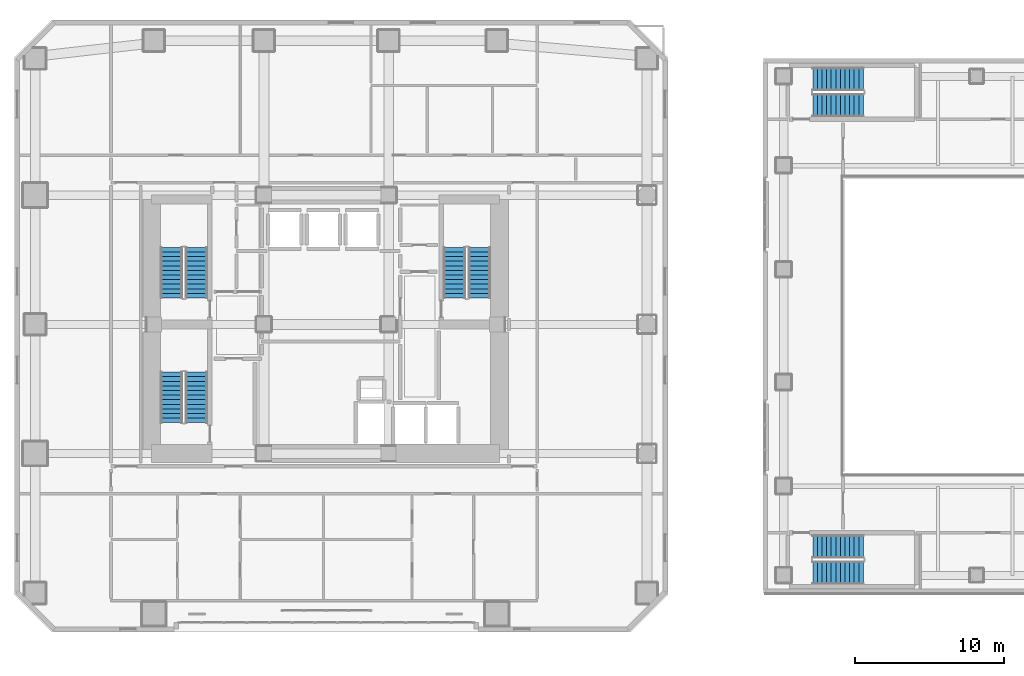
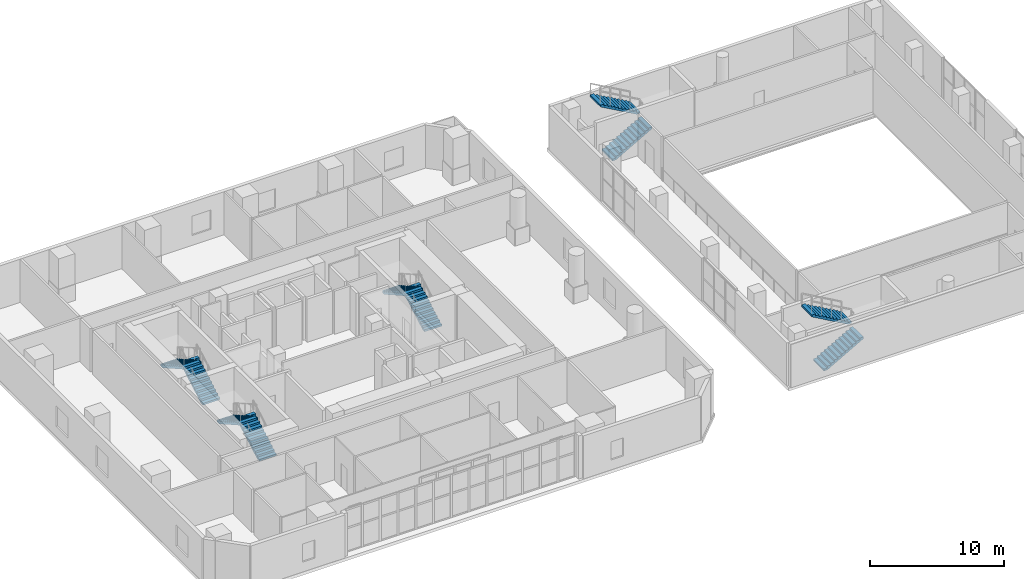
# One storey, part 21 of 24: 10 stair flights, 5 elements without a shape of their own.
"""IFC4 building model written with IfcOpenShell, lengths in metres."""

from ifc_helpers import new_model, si_unit, direction, frame, origin, place, context, subcontext, project, spatial, polyline, outline, extrude, material, type_object, element, aggregate, save


model = new_model("IFC4")

# Units and contexts
model_context = context("Model", 3, precision=1e-05, world=origin(), true_north=direction((0.0, 1.0)))
body_context = subcontext(model_context, "Body", "Model", "MODEL_VIEW")
ifc_project = project(units=[si_unit("LENGTHUNIT", "METRE"), si_unit("AREAUNIT", "SQUARE_METRE"), si_unit("VOLUMEUNIT", "CUBIC_METRE"), si_unit("PLANEANGLEUNIT", "RADIAN"), si_unit("MASSUNIT", "GRAM", prefix="KILO")], contexts=[model_context])

# Site, building, storey
site_placement = place(None, origin())
site = spatial("IfcSite", under=ifc_project, at=site_placement, CompositionType="ELEMENT")
building_placement = place(site_placement, origin())
building = spatial("IfcBuilding", under=site, at=building_placement, Name="Solanera Arch Residences", CompositionType="ELEMENT")
storey_placement = place(building_placement, frame((0.0, 0.0, 5.199951171875)))
storey = spatial("IfcBuildingStorey", under=building, at=storey_placement, Name="L01", CompositionType="ELEMENT", Elevation=5.199951171875)

# Stair, stair flights
ifc_material_1 = material(Name="Concrete C40/50 (f'c = 45 MPa)", Category="concrete")
stair_type_1 = type_object("IfcStairType", Name="Arena Dogleg Exit Stair 1560", PredefinedType="HALF_TURN_STAIR", material=ifc_material_1)
stair_1_placement = place(storey_placement, origin())
stair_1 = element("IfcStair", 1, at=stair_1_placement, inside=storey, type_object=stair_type_1, Name="L01 Sports Hall South Exit Stair", PredefinedType="HALF_TURN_STAIR")
ifc_material_2 = material(Name="Concrete C40/50 (f'c = 45 MPa)", Category="concrete")
stair_flight_type_1 = type_object("IfcStairFlightType", Name="Arena Precast Stair Flight 1560", PredefinedType="STRAIGHT", material=ifc_material_2)
stair_flight_1_placement = place(storey_placement, frame((57.760009765625, 13.97998046875, 0.0), z_axis=(0.0, 0.0, 1.0), x_axis=(1.0, 0.0, 0.0)))
stair_flight_1 = element("IfcStairFlight", 2, at=stair_flight_1_placement, type_object=stair_flight_type_1, Name="ST-H1 flight 1", NumberOfRisers=12, NumberOfTreads=11, PredefinedType="STRAIGHT", RiserHeight=0.175, TreadLength=0.31, context=body_context, shape_type="SweptSolid", body=[
    extrude(outline(polyline([(0.0, 0.0), (0.0, 0.175048828125), (0.31005859375, 0.175048828125), (0.31005859375, 0.35009765625), (0.6201171875, 0.35009765625), (0.6201171875, 0.52490234375), (0.929931640625, 0.52490234375), (0.929931640625, 0.699951171875), (1.239990234375, 0.699951171875), (1.239990234375, 0.875), (1.550048828125, 0.875), (1.550048828125, 1.050048828125), (1.860107421875, 1.050048828125), (1.860107421875, 1.22509765625), (2.169921875, 1.22509765625), (2.169921875, 1.39990234375), (2.47998046875, 1.39990234375), (2.47998046875, 1.574951171875), (2.7900390625, 1.574951171875), (2.7900390625, 1.75), (3.10009765625, 1.75), (3.10009765625, 1.925048828125), (3.409912109375, 1.925048828125), (3.409912109375, 2.10009765625), (3.409912109375, 1.7529296875), (0.304931640625, 0.0), (0.0, 0.0)])), frame((0.0, 0.780029296875, 0.0), z_axis=(0.0, -1.0, 0.0), x_axis=(1.0, 0.0, 0.0)), (0.0, 0.0, 1.0), 1.56005859375),
])
stair_flight_2_placement = place(storey_placement, frame((61.169921875, 15.739990234375, 2.10009765625), z_axis=(0.0, 0.0, 1.0), x_axis=(-1.0, 0.0, 0.0)))
stair_flight_2 = element("IfcStairFlight", 3, at=stair_flight_2_placement, type_object=stair_flight_type_1, Name="ST-H1 flight 2", NumberOfRisers=12, NumberOfTreads=11, PredefinedType="STRAIGHT", RiserHeight=0.175, TreadLength=0.31, context=body_context, shape_type="SweptSolid", body=[
    extrude(outline(polyline([(0.0, 0.0), (0.0, 0.175048828125), (0.31005859375, 0.175048828125), (0.31005859375, 0.35009765625), (0.6201171875, 0.35009765625), (0.6201171875, 0.52490234375), (0.929931640625, 0.52490234375), (0.929931640625, 0.699951171875), (1.239990234375, 0.699951171875), (1.239990234375, 0.875), (1.550048828125, 0.875), (1.550048828125, 1.050048828125), (1.860107421875, 1.050048828125), (1.860107421875, 1.22509765625), (2.169921875, 1.22509765625), (2.169921875, 1.39990234375), (2.47998046875, 1.39990234375), (2.47998046875, 1.574951171875), (2.7900390625, 1.574951171875), (2.7900390625, 1.75), (3.10009765625, 1.75), (3.10009765625, 1.925048828125), (3.409912109375, 1.925048828125), (3.409912109375, 2.10009765625), (3.409912109375, 1.7529296875), (0.304931640625, 0.0), (0.0, 0.0)])), frame((0.0, 0.780029296875, 0.0), z_axis=(0.0, -1.0, 0.0), x_axis=(1.0, 0.0, 0.0)), (0.0, 0.0, 1.0), 1.56005859375),
])
aggregate(stair_1, [stair_flight_1, stair_flight_2])

stair_2_placement = place(storey_placement, origin())
stair_2 = element("IfcStair", 4, at=stair_2_placement, inside=storey, type_object=stair_type_1, Name="L01 Sports Hall North Exit Stair", PredefinedType="HALF_TURN_STAIR")
stair_flight_3_placement = place(storey_placement, frame((57.760009765625, 45.4599609375, 0.0), z_axis=(0.0, 0.0, 1.0), x_axis=(1.0, 0.0, 0.0)))
stair_flight_3 = element("IfcStairFlight", 5, at=stair_flight_3_placement, type_object=stair_flight_type_1, Name="ST-H2 flight 1", NumberOfRisers=12, NumberOfTreads=11, PredefinedType="STRAIGHT", RiserHeight=0.175, TreadLength=0.31, context=body_context, shape_type="SweptSolid", body=[
    extrude(outline(polyline([(0.0, 0.0), (0.0, 0.175048828125), (0.31005859375, 0.175048828125), (0.31005859375, 0.35009765625), (0.6201171875, 0.35009765625), (0.6201171875, 0.52490234375), (0.929931640625, 0.52490234375), (0.929931640625, 0.699951171875), (1.239990234375, 0.699951171875), (1.239990234375, 0.875), (1.550048828125, 0.875), (1.550048828125, 1.050048828125), (1.860107421875, 1.050048828125), (1.860107421875, 1.22509765625), (2.169921875, 1.22509765625), (2.169921875, 1.39990234375), (2.47998046875, 1.39990234375), (2.47998046875, 1.574951171875), (2.7900390625, 1.574951171875), (2.7900390625, 1.75), (3.10009765625, 1.75), (3.10009765625, 1.925048828125), (3.409912109375, 1.925048828125), (3.409912109375, 2.10009765625), (3.409912109375, 1.7529296875), (0.304931640625, 0.0), (0.0, 0.0)])), frame((0.0, 0.780029296875, 0.0), z_axis=(0.0, -1.0, 0.0), x_axis=(1.0, 0.0, 0.0)), (0.0, 0.0, 1.0), 1.56005859375),
])
stair_flight_4_placement = place(storey_placement, frame((61.169921875, 47.219970703125, 2.10009765625), z_axis=(0.0, 0.0, 1.0), x_axis=(-1.0, 0.0, 0.0)))
stair_flight_4 = element("IfcStairFlight", 6, at=stair_flight_4_placement, type_object=stair_flight_type_1, Name="ST-H2 flight 2", NumberOfRisers=12, NumberOfTreads=11, PredefinedType="STRAIGHT", RiserHeight=0.175, TreadLength=0.31, context=body_context, shape_type="SweptSolid", body=[
    extrude(outline(polyline([(0.0, 0.0), (0.0, 0.175048828125), (0.31005859375, 0.175048828125), (0.31005859375, 0.35009765625), (0.6201171875, 0.35009765625), (0.6201171875, 0.52490234375), (0.929931640625, 0.52490234375), (0.929931640625, 0.699951171875), (1.239990234375, 0.699951171875), (1.239990234375, 0.875), (1.550048828125, 0.875), (1.550048828125, 1.050048828125), (1.860107421875, 1.050048828125), (1.860107421875, 1.22509765625), (2.169921875, 1.22509765625), (2.169921875, 1.39990234375), (2.47998046875, 1.39990234375), (2.47998046875, 1.574951171875), (2.7900390625, 1.574951171875), (2.7900390625, 1.75), (3.10009765625, 1.75), (3.10009765625, 1.925048828125), (3.409912109375, 1.925048828125), (3.409912109375, 2.10009765625), (3.409912109375, 1.7529296875), (0.304931640625, 0.0), (0.0, 0.0)])), frame((0.0, 0.780029296875, 0.0), z_axis=(0.0, -1.0, 0.0), x_axis=(1.0, 0.0, 0.0)), (0.0, 0.0, 1.0), 1.56005859375),
])
aggregate(stair_2, [stair_flight_3, stair_flight_4])

ifc_material_3 = material(Name="Concrete C40/50 (f'c = 45 MPa)", Category="concrete")
stair_type_2 = type_object("IfcStairType", Name="Tower Dogleg Exit Stair 1480", PredefinedType="HALF_TURN_STAIR", material=ifc_material_3)
stair_3_placement = place(storey_placement, origin())
stair_3 = element("IfcStair", 7, at=stair_3_placement, inside=storey, type_object=stair_type_2, Name="L01 Tower Core Exit Stair 1", PredefinedType="HALF_TURN_STAIR")
ifc_material_4 = material(Name="Concrete C40/50 (f'c = 45 MPa)", Category="concrete")
stair_flight_type_2 = type_object("IfcStairFlightType", Name="Tower Precast Stair Flight 1480", PredefinedType="STRAIGHT", material=ifc_material_4)
stair_flight_5_placement = place(storey_placement, frame((16.260009765625, 32.47998046875, 0.0), z_axis=(0.0, 0.0, 1.0), x_axis=(0.0, 1.0, 0.0)))
stair_flight_5 = element("IfcStairFlight", 8, at=stair_flight_5_placement, type_object=stair_flight_type_2, Name="ST-T1 flight 1", NumberOfRisers=12, NumberOfTreads=11, PredefinedType="STRAIGHT", RiserHeight=0.175, TreadLength=0.31, context=body_context, shape_type="SweptSolid", body=[
    extrude(outline(polyline([(0.0, 0.0), (0.0, 0.175048828125), (0.31005859375, 0.175048828125), (0.31005859375, 0.35009765625), (0.6201171875, 0.35009765625), (0.6201171875, 0.52490234375), (0.929931640625, 0.52490234375), (0.929931640625, 0.699951171875), (1.239990234375, 0.699951171875), (1.239990234375, 0.875), (1.550048828125, 0.875), (1.550048828125, 1.050048828125), (1.860107421875, 1.050048828125), (1.860107421875, 1.22509765625), (2.169921875, 1.22509765625), (2.169921875, 1.39990234375), (2.47998046875, 1.39990234375), (2.47998046875, 1.574951171875), (2.7900390625, 1.574951171875), (2.7900390625, 1.75), (3.10009765625, 1.75), (3.10009765625, 1.925048828125), (3.409912109375, 1.925048828125), (3.409912109375, 2.10009765625), (3.409912109375, 1.7529296875), (0.304931640625, 0.0), (0.0, 0.0)])), frame((0.0, 0.739990234375, 0.0), z_axis=(0.0, -1.0, 0.0), x_axis=(1.0, 0.0, 0.0)), (0.0, 0.0, 1.0), 1.47998046875),
])
stair_flight_6_placement = place(storey_placement, frame((14.580078125, 35.889892578125, 2.10009765625), z_axis=(0.0, 0.0, 1.0), x_axis=(0.0, -1.0, 0.0)))
stair_flight_6 = element("IfcStairFlight", 9, at=stair_flight_6_placement, type_object=stair_flight_type_2, Name="ST-T1 flight 2", NumberOfRisers=12, NumberOfTreads=11, PredefinedType="STRAIGHT", RiserHeight=0.175, TreadLength=0.31, context=body_context, shape_type="SweptSolid", body=[
    extrude(outline(polyline([(0.0, 0.0), (0.0, 0.175048828125), (0.31005859375, 0.175048828125), (0.31005859375, 0.35009765625), (0.6201171875, 0.35009765625), (0.6201171875, 0.52490234375), (0.929931640625, 0.52490234375), (0.929931640625, 0.699951171875), (1.239990234375, 0.699951171875), (1.239990234375, 0.875), (1.550048828125, 0.875), (1.550048828125, 1.050048828125), (1.860107421875, 1.050048828125), (1.860107421875, 1.22509765625), (2.169921875, 1.22509765625), (2.169921875, 1.39990234375), (2.47998046875, 1.39990234375), (2.47998046875, 1.574951171875), (2.7900390625, 1.574951171875), (2.7900390625, 1.75), (3.10009765625, 1.75), (3.10009765625, 1.925048828125), (3.409912109375, 1.925048828125), (3.409912109375, 2.10009765625), (3.409912109375, 1.7529296875), (0.304931640625, 0.0), (0.0, 0.0)])), frame((0.0, 0.739990234375, 0.0), z_axis=(0.0, -1.0, 0.0), x_axis=(1.0, 0.0, 0.0)), (0.0, 0.0, 1.0), 1.47998046875),
])
aggregate(stair_3, [stair_flight_5, stair_flight_6])

stair_4_placement = place(storey_placement, origin())
stair_4 = element("IfcStair", 10, at=stair_4_placement, inside=storey, type_object=stair_type_2, Name="L01 Tower Core Exit Stair 2", PredefinedType="HALF_TURN_STAIR")
stair_flight_7_placement = place(storey_placement, frame((35.320068359375, 32.47998046875, 0.0), z_axis=(0.0, 0.0, 1.0), x_axis=(0.0, 1.0, 0.0)))
stair_flight_7 = element("IfcStairFlight", 11, at=stair_flight_7_placement, type_object=stair_flight_type_2, Name="ST-T2 flight 1", NumberOfRisers=12, NumberOfTreads=11, PredefinedType="STRAIGHT", RiserHeight=0.175, TreadLength=0.31, context=body_context, shape_type="SweptSolid", body=[
    extrude(outline(polyline([(0.0, 0.0), (0.0, 0.175048828125), (0.31005859375, 0.175048828125), (0.31005859375, 0.35009765625), (0.6201171875, 0.35009765625), (0.6201171875, 0.52490234375), (0.929931640625, 0.52490234375), (0.929931640625, 0.699951171875), (1.239990234375, 0.699951171875), (1.239990234375, 0.875), (1.550048828125, 0.875), (1.550048828125, 1.050048828125), (1.860107421875, 1.050048828125), (1.860107421875, 1.22509765625), (2.169921875, 1.22509765625), (2.169921875, 1.39990234375), (2.47998046875, 1.39990234375), (2.47998046875, 1.574951171875), (2.7900390625, 1.574951171875), (2.7900390625, 1.75), (3.10009765625, 1.75), (3.10009765625, 1.925048828125), (3.409912109375, 1.925048828125), (3.409912109375, 2.10009765625), (3.409912109375, 1.7529296875), (0.304931640625, 0.0), (0.0, 0.0)])), frame((0.0, 0.739990234375, 0.0), z_axis=(0.0, -1.0, 0.0), x_axis=(1.0, 0.0, 0.0)), (0.0, 0.0, 1.0), 1.47998046875),
])
stair_flight_8_placement = place(storey_placement, frame((33.639892578125, 35.889892578125, 2.10009765625), z_axis=(0.0, 0.0, 1.0), x_axis=(0.0, -1.0, 0.0)))
stair_flight_8 = element("IfcStairFlight", 12, at=stair_flight_8_placement, type_object=stair_flight_type_2, Name="ST-T2 flight 2", NumberOfRisers=12, NumberOfTreads=11, PredefinedType="STRAIGHT", RiserHeight=0.175, TreadLength=0.31, context=body_context, shape_type="SweptSolid", body=[
    extrude(outline(polyline([(0.0, 0.0), (0.0, 0.175048828125), (0.31005859375, 0.175048828125), (0.31005859375, 0.35009765625), (0.6201171875, 0.35009765625), (0.6201171875, 0.52490234375), (0.929931640625, 0.52490234375), (0.929931640625, 0.699951171875), (1.239990234375, 0.699951171875), (1.239990234375, 0.875), (1.550048828125, 0.875), (1.550048828125, 1.050048828125), (1.860107421875, 1.050048828125), (1.860107421875, 1.22509765625), (2.169921875, 1.22509765625), (2.169921875, 1.39990234375), (2.47998046875, 1.39990234375), (2.47998046875, 1.574951171875), (2.7900390625, 1.574951171875), (2.7900390625, 1.75), (3.10009765625, 1.75), (3.10009765625, 1.925048828125), (3.409912109375, 1.925048828125), (3.409912109375, 2.10009765625), (3.409912109375, 1.7529296875), (0.304931640625, 0.0), (0.0, 0.0)])), frame((0.0, 0.739990234375, 0.0), z_axis=(0.0, -1.0, 0.0), x_axis=(1.0, 0.0, 0.0)), (0.0, 0.0, 1.0), 1.47998046875),
])
aggregate(stair_4, [stair_flight_7, stair_flight_8])

stair_5_placement = place(storey_placement, origin())
stair_5 = element("IfcStair", 13, at=stair_5_placement, inside=storey, type_object=stair_type_2, Name="L01 Tower Core Exit Stair 3", PredefinedType="HALF_TURN_STAIR")
stair_flight_9_placement = place(storey_placement, frame((16.260009765625, 24.080078125, 0.0), z_axis=(0.0, 0.0, 1.0), x_axis=(0.0, 1.0, 0.0)))
stair_flight_9 = element("IfcStairFlight", 14, at=stair_flight_9_placement, type_object=stair_flight_type_2, Name="ST-T3 flight 1", NumberOfRisers=12, NumberOfTreads=11, PredefinedType="STRAIGHT", RiserHeight=0.175, TreadLength=0.31, context=body_context, shape_type="SweptSolid", body=[
    extrude(outline(polyline([(0.0, 0.0), (0.0, 0.175048828125), (0.31005859375, 0.175048828125), (0.31005859375, 0.35009765625), (0.6201171875, 0.35009765625), (0.6201171875, 0.52490234375), (0.929931640625, 0.52490234375), (0.929931640625, 0.699951171875), (1.239990234375, 0.699951171875), (1.239990234375, 0.875), (1.550048828125, 0.875), (1.550048828125, 1.050048828125), (1.860107421875, 1.050048828125), (1.860107421875, 1.22509765625), (2.169921875, 1.22509765625), (2.169921875, 1.39990234375), (2.47998046875, 1.39990234375), (2.47998046875, 1.574951171875), (2.7900390625, 1.574951171875), (2.7900390625, 1.75), (3.10009765625, 1.75), (3.10009765625, 1.925048828125), (3.409912109375, 1.925048828125), (3.409912109375, 2.10009765625), (3.409912109375, 1.7529296875), (0.304931640625, 0.0), (0.0, 0.0)])), frame((0.0, 0.739990234375, 0.0), z_axis=(0.0, -1.0, 0.0), x_axis=(1.0, 0.0, 0.0)), (0.0, 0.0, 1.0), 1.47998046875),
])
stair_flight_10_placement = place(storey_placement, frame((14.580078125, 27.489990234375, 2.10009765625), z_axis=(0.0, 0.0, 1.0), x_axis=(0.0, -1.0, 0.0)))
stair_flight_10 = element("IfcStairFlight", 15, at=stair_flight_10_placement, type_object=stair_flight_type_2, Name="ST-T3 flight 2", NumberOfRisers=12, NumberOfTreads=11, PredefinedType="STRAIGHT", RiserHeight=0.175, TreadLength=0.31, context=body_context, shape_type="SweptSolid", body=[
    extrude(outline(polyline([(0.0, 0.0), (0.0, 0.175048828125), (0.31005859375, 0.175048828125), (0.31005859375, 0.35009765625), (0.6201171875, 0.35009765625), (0.6201171875, 0.52490234375), (0.929931640625, 0.52490234375), (0.929931640625, 0.699951171875), (1.239990234375, 0.699951171875), (1.239990234375, 0.875), (1.550048828125, 0.875), (1.550048828125, 1.050048828125), (1.860107421875, 1.050048828125), (1.860107421875, 1.22509765625), (2.169921875, 1.22509765625), (2.169921875, 1.39990234375), (2.47998046875, 1.39990234375), (2.47998046875, 1.574951171875), (2.7900390625, 1.574951171875), (2.7900390625, 1.75), (3.10009765625, 1.75), (3.10009765625, 1.925048828125), (3.409912109375, 1.925048828125), (3.409912109375, 2.10009765625), (3.409912109375, 1.7529296875), (0.304931640625, 0.0), (0.0, 0.0)])), frame((0.0, 0.739990234375, 0.0), z_axis=(0.0, -1.0, 0.0), x_axis=(1.0, 0.0, 0.0)), (0.0, 0.0, 1.0), 1.47998046875),
])
aggregate(stair_5, [stair_flight_9, stair_flight_10])

save(model, "model.ifc")
